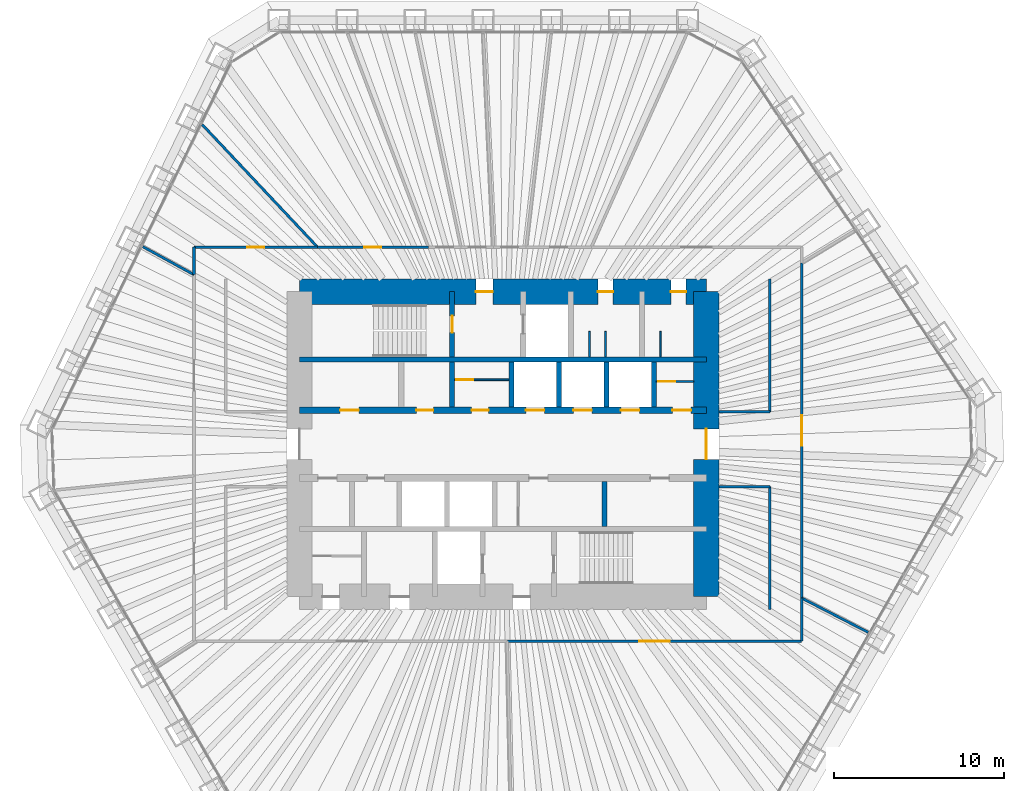
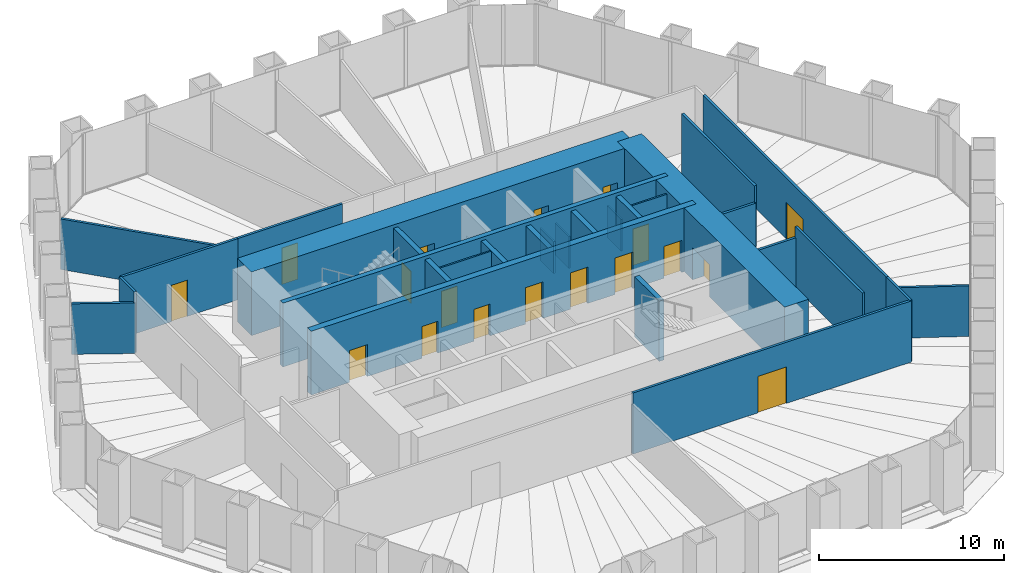
# One storey, part 11 of 13: 29 walls, 18 doors, 18 openings.
"""IFC4 building model written with IfcOpenShell, lengths in metres."""

from ifc_helpers import new_model, si_unit, direction, frame, frame_2d, origin, place, context, subcontext, project, spatial, rectangle, extrude, material, layer, layer_set, type_object, element, fill, save


model = new_model("IFC4")

# Units and contexts
model_context = context("Model", 3, precision=1e-05, world=origin(), true_north=direction((0.0, 1.0)))
body_context = subcontext(model_context, "Body", "Model", "MODEL_VIEW")
ifc_project = project(units=[si_unit("LENGTHUNIT", "METRE"), si_unit("AREAUNIT", "SQUARE_METRE"), si_unit("VOLUMEUNIT", "CUBIC_METRE"), si_unit("PLANEANGLEUNIT", "RADIAN"), si_unit("MASSUNIT", "GRAM", prefix="KILO")], contexts=[model_context])

# Site, building, storey
site_placement = place(None, origin())
site = spatial("IfcSite", under=ifc_project, at=site_placement, CompositionType="ELEMENT")
building_placement = place(site_placement, origin())
building = spatial("IfcBuilding", under=site, at=building_placement, Name="Qingtian Harvest Tower", CompositionType="ELEMENT")
storey_placement = place(building_placement, frame((0.0, 0.0, 140.800048828125)))
storey = spatial("IfcBuildingStorey", under=building, at=storey_placement, Name="L29", CompositionType="ELEMENT", Elevation=140.800048828125)

# Wall
ifc_material_1 = material(Name="Concrete fc' 70 MPa", Category="concrete")
ifc_layer_1 = layer(ifc_material_1, 0.300048828125)
ifc_layer_set_1 = layer_set([ifc_layer_1], Name="Core inner wall RC5 300")
wall_type_1 = type_object("IfcWallType", Name="Core inner wall RC5 300", PredefinedType="SHEAR", material=ifc_layer_set_1)
wall_1_placement = place(storey_placement, frame((-12.0, 5.0, 0.0), z_axis=(0.0, 0.0, 1.0), x_axis=(1.0, 0.0, 0.0)))
element("IfcWall", 1, at=wall_1_placement, inside=storey, type_object=wall_type_1, Name="Core wall IN5 L29", PredefinedType="SHEAR", context=body_context, shape_type="SweptSolid", body=[
    extrude(rectangle(XDim=24.0, YDim=0.300048828125, at=frame_2d((12.0, 0.0))), origin(), (0.0, 0.0, 1.0), 4.199951171875),
])

# Wall, openings, doors
ifc_material_2 = material(Name="Concrete fc' 70 MPa", Category="concrete")
ifc_layer_2 = layer(ifc_material_2, 0.39990234375)
ifc_layer_set_2 = layer_set([ifc_layer_2], Name="Core inner web RC6 400")
wall_type_2 = type_object("IfcWallType", Name="Core inner web RC6 400", PredefinedType="SHEAR", material=ifc_layer_set_2)
wall_2_placement = place(storey_placement, frame((-12.0, 2.0, 0.0), z_axis=(0.0, 0.0, 1.0), x_axis=(1.0, 0.0, 0.0)))
wall_2 = element("IfcWall", 2, at=wall_2_placement, inside=storey, type_object=wall_type_2, Name="Core wall IN2 L29", PredefinedType="SHEAR", context=body_context, shape_type="SweptSolid", body=[
    extrude(rectangle(XDim=24.0, YDim=0.39990234375, at=frame_2d((12.0, 0.0))), origin(), (0.0, 0.0, 1.0), 4.199951171875),
])
opening_1_placement = place(wall_2_placement, frame((2.39990234375, 0.0, 0.0)))
opening_1 = element("IfcOpeningElement", 3, at=opening_1_placement, cuts=wall_2, Name="Opening FD4", PredefinedType="OPENING", context=body_context, shape_type="SweptSolid", body=[
    extrude(rectangle(XDim=1.10009765625, YDim=2.10009765625, at=frame_2d((0.550048828125, 1.050048828125))), frame((0.0, 0.2099609375, 0.0), z_axis=(0.0, -1.0, 0.0), x_axis=(1.0, 0.0, 0.0)), (0.0, 0.0, 1.0), 0.419921875),
])
opening_2_placement = place(wall_2_placement, frame((22.0, 0.0, 0.0)))
opening_2 = element("IfcOpeningElement", 4, at=opening_2_placement, cuts=wall_2, Name="Opening FD4", PredefinedType="OPENING", context=body_context, shape_type="SweptSolid", body=[
    extrude(rectangle(XDim=1.10009765625, YDim=2.10009765625, at=frame_2d((0.550048828125, 1.050048828125))), frame((0.0, 0.2099609375, 0.0), z_axis=(0.0, -1.0, 0.0), x_axis=(1.0, 0.0, 0.0)), (0.0, 0.0, 1.0), 0.419921875),
])
opening_3_placement = place(wall_2_placement, frame((10.14990234375, 0.0, 0.0)))
opening_3 = element("IfcOpeningElement", 5, at=opening_3_placement, cuts=wall_2, Name="Opening FD1", PredefinedType="OPENING", context=body_context, shape_type="SweptSolid", body=[
    extrude(rectangle(XDim=1.0, YDim=2.10009765625, at=frame_2d((0.5, 1.050048828125))), frame((0.0, 0.2099609375, 0.0), z_axis=(0.0, -1.0, 0.0), x_axis=(1.0, 0.0, 0.0)), (0.0, 0.0, 1.0), 0.419921875),
])
opening_4_placement = place(wall_2_placement, frame((6.89990234375, 0.0, 0.0)))
opening_4 = element("IfcOpeningElement", 6, at=opening_4_placement, cuts=wall_2, Name="Opening FD1", PredefinedType="OPENING", context=body_context, shape_type="SweptSolid", body=[
    extrude(rectangle(XDim=1.0, YDim=2.10009765625, at=frame_2d((0.5, 1.050048828125))), frame((0.0, 0.2099609375, 0.0), z_axis=(0.0, -1.0, 0.0), x_axis=(1.0, 0.0, 0.0)), (0.0, 0.0, 1.0), 0.419921875),
])
opening_5_placement = place(wall_2_placement, frame((13.35009765625, 0.0, 0.0)))
opening_5 = element("IfcOpeningElement", 7, at=opening_5_placement, cuts=wall_2, Name="Opening LD1", PredefinedType="OPENING", context=body_context, shape_type="SweptSolid", body=[
    extrude(rectangle(XDim=1.10009765625, YDim=2.39990234375, at=frame_2d((0.550048828125, 1.199951171875))), frame((0.0, 0.2099609375, 0.0), z_axis=(0.0, -1.0, 0.0), x_axis=(1.0, 0.0, 0.0)), (0.0, 0.0, 1.0), 0.419921875),
])
opening_6_placement = place(wall_2_placement, frame((16.14990234375, 0.0, 0.0)))
opening_6 = element("IfcOpeningElement", 8, at=opening_6_placement, cuts=wall_2, Name="Opening LD1", PredefinedType="OPENING", context=body_context, shape_type="SweptSolid", body=[
    extrude(rectangle(XDim=1.10009765625, YDim=2.39990234375, at=frame_2d((0.550048828125, 1.199951171875))), frame((0.0, 0.2099609375, 0.0), z_axis=(0.0, -1.0, 0.0), x_axis=(1.0, 0.0, 0.0)), (0.0, 0.0, 1.0), 0.419921875),
])
opening_7_placement = place(wall_2_placement, frame((18.949951171875, 0.0, 0.0)))
opening_7 = element("IfcOpeningElement", 9, at=opening_7_placement, cuts=wall_2, Name="Opening LD1", PredefinedType="OPENING", context=body_context, shape_type="SweptSolid", body=[
    extrude(rectangle(XDim=1.10009765625, YDim=2.39990234375, at=frame_2d((0.550048828125, 1.199951171875))), frame((0.0, 0.2099609375, 0.0), z_axis=(0.0, -1.0, 0.0), x_axis=(1.0, 0.0, 0.0)), (0.0, 0.0, 1.0), 0.419921875),
])
ifc_material_3 = material(Name="Steel-faced door leaf", Category="steel")
door_type_1 = type_object("IfcDoorType", Name="Fire door FD1 single 1 HR", OperationType="SINGLE_SWING_LEFT", PredefinedType="DOOR", material=ifc_material_3)
door_1_placement = place(opening_3_placement, origin())
door_1 = element("IfcDoor", 10, at=door_1_placement, inside=storey, type_object=door_type_1, Name="STA door L29", OperationType="SINGLE_SWING_LEFT", OverallHeight=2.10009765625, OverallWidth=1.0, PredefinedType="DOOR", context=body_context, shape_type="SweptSolid", body=[
    extrude(rectangle(XDim=1.0, YDim=2.10009765625, at=frame_2d((0.5, 1.050048828125))), frame((0.0, 0.02490234375, 0.0), z_axis=(0.0, -1.0, 0.0), x_axis=(1.0, 0.0, 0.0)), (0.0, 0.0, 1.0), 0.050048828125),
])
fill(opening_3, door_1)
door_2_placement = place(opening_4_placement, origin())
door_2 = element("IfcDoor", 11, at=door_2_placement, inside=storey, type_object=door_type_1, Name="Staff WC door L29", OperationType="SINGLE_SWING_LEFT", OverallHeight=2.10009765625, OverallWidth=1.0, PredefinedType="DOOR", context=body_context, shape_type="SweptSolid", body=[
    extrude(rectangle(XDim=1.0, YDim=2.10009765625, at=frame_2d((0.5, 1.050048828125))), frame((0.0, 0.02490234375, 0.0), z_axis=(0.0, -1.0, 0.0), x_axis=(1.0, 0.0, 0.0)), (0.0, 0.0, 1.0), 0.050048828125),
])
fill(opening_4, door_2)
ifc_material_4 = material(Name="Steel-faced door leaf", Category="steel")
door_type_2 = type_object("IfcDoorType", Name="Fire door FD4 single 2 HR", OperationType="SINGLE_SWING_LEFT", PredefinedType="DOOR", material=ifc_material_4)
door_3_placement = place(opening_1_placement, origin())
door_3 = element("IfcDoor", 12, at=door_3_placement, inside=storey, type_object=door_type_2, Name="RA door L29", OperationType="SINGLE_SWING_RIGHT", OverallHeight=2.10009765625, OverallWidth=1.10009765625, PredefinedType="DOOR", context=body_context, shape_type="SweptSolid", body=[
    extrude(rectangle(XDim=1.10009765625, YDim=2.10009765625, at=frame_2d((0.550048828125, 1.050048828125))), frame((0.0, 0.02490234375, 0.0), z_axis=(0.0, -1.0, 0.0), x_axis=(1.0, 0.0, 0.0)), (0.0, 0.0, 1.0), 0.050048828125),
])
fill(opening_1, door_3)
door_4_placement = place(opening_2_placement, origin())
door_4 = element("IfcDoor", 13, at=door_4_placement, inside=storey, type_object=door_type_2, Name="AHU door L29", OperationType="SINGLE_SWING_RIGHT", OverallHeight=2.10009765625, OverallWidth=1.10009765625, PredefinedType="DOOR", context=body_context, shape_type="SweptSolid", body=[
    extrude(rectangle(XDim=1.10009765625, YDim=2.10009765625, at=frame_2d((0.550048828125, 1.050048828125))), frame((0.0, 0.02490234375, 0.0), z_axis=(0.0, -1.0, 0.0), x_axis=(1.0, 0.0, 0.0)), (0.0, 0.0, 1.0), 0.050048828125),
])
fill(opening_2, door_4)
ifc_material_5 = material(Name="Stainless steel lift landing door", Category="steel")
door_type_3 = type_object("IfcDoorType", Name="Lift landing door LD1 1 HR", OperationType="DOUBLE_DOOR_SLIDING", PredefinedType="DOOR", material=ifc_material_5)
door_5_placement = place(opening_5_placement, origin())
door_5 = element("IfcDoor", 14, at=door_5_placement, inside=storey, type_object=door_type_3, Name="PLB1 landing door L29", OperationType="DOUBLE_DOOR_SLIDING", OverallHeight=2.39990234375, OverallWidth=1.10009765625, PredefinedType="DOOR", context=body_context, shape_type="SweptSolid", body=[
    extrude(rectangle(XDim=1.10009765625, YDim=2.39990234375, at=frame_2d((0.550048828125, 1.199951171875))), frame((0.0, 0.02490234375, 0.0), z_axis=(0.0, -1.0, 0.0), x_axis=(1.0, 0.0, 0.0)), (0.0, 0.0, 1.0), 0.050048828125),
])
fill(opening_5, door_5)
door_6_placement = place(opening_6_placement, origin())
door_6 = element("IfcDoor", 15, at=door_6_placement, inside=storey, type_object=door_type_3, Name="PLB2 landing door L29", OperationType="DOUBLE_DOOR_SLIDING", OverallHeight=2.39990234375, OverallWidth=1.10009765625, PredefinedType="DOOR", context=body_context, shape_type="SweptSolid", body=[
    extrude(rectangle(XDim=1.10009765625, YDim=2.39990234375, at=frame_2d((0.550048828125, 1.199951171875))), frame((0.0, 0.02490234375, 0.0), z_axis=(0.0, -1.0, 0.0), x_axis=(1.0, 0.0, 0.0)), (0.0, 0.0, 1.0), 0.050048828125),
])
fill(opening_6, door_6)
door_7_placement = place(opening_7_placement, origin())
door_7 = element("IfcDoor", 16, at=door_7_placement, inside=storey, type_object=door_type_3, Name="PLB3 landing door L29", OperationType="DOUBLE_DOOR_SLIDING", OverallHeight=2.39990234375, OverallWidth=1.10009765625, PredefinedType="DOOR", context=body_context, shape_type="SweptSolid", body=[
    extrude(rectangle(XDim=1.10009765625, YDim=2.39990234375, at=frame_2d((0.550048828125, 1.199951171875))), frame((0.0, 0.02490234375, 0.0), z_axis=(0.0, -1.0, 0.0), x_axis=(1.0, 0.0, 0.0)), (0.0, 0.0, 1.0), 0.050048828125),
])
fill(opening_7, door_7)

# Wall, opening, door
ifc_material_6 = material(Name="Precast concrete shaft panel", Category="concrete")
ifc_layer_3 = layer(ifc_material_6, 0.300048828125)
ifc_layer_set_3 = layer_set([ifc_layer_3], Name="Core shaft partition SW1 300")
wall_type_3 = type_object("IfcWallType", Name="Core shaft partition SW1 300", PredefinedType="PARTITIONING", material=ifc_layer_set_3)
wall_3_placement = place(storey_placement, frame((-3.0, 5.14990234375, 0.0), z_axis=(0.0, 0.0, 1.0), x_axis=(0.0, 1.0, 0.0)))
wall_3 = element("IfcWall", 17, at=wall_3_placement, inside=storey, type_object=wall_type_3, Name="Core shaft partition XN1 L29", PredefinedType="PARTITIONING", context=body_context, shape_type="SweptSolid", body=[
    extrude(rectangle(XDim=3.85009765625, YDim=0.300048828125, at=frame_2d((1.925048828125, 0.0))), origin(), (0.0, 0.0, 1.0), 3.97998046875),
])
opening_8_placement = place(wall_3_placement, frame((1.425048828125, 0.0, 0.0)))
opening_8 = element("IfcOpeningElement", 18, at=opening_8_placement, cuts=wall_3, Name="Opening FD1", PredefinedType="OPENING", context=body_context, shape_type="SweptSolid", body=[
    extrude(rectangle(XDim=1.0, YDim=2.10009765625, at=frame_2d((0.5, 1.050048828125))), frame((0.0, 0.159912109375, 0.0), z_axis=(0.0, -1.0, 0.0), x_axis=(1.0, 0.0, 0.0)), (0.0, 0.0, 1.0), 0.320068359375),
])
door_8_placement = place(opening_8_placement, origin())
door_8 = element("IfcDoor", 19, at=door_8_placement, inside=storey, type_object=door_type_1, Name="S1 door L29", OperationType="SINGLE_SWING_RIGHT", OverallHeight=2.10009765625, OverallWidth=1.0, PredefinedType="DOOR", context=body_context, shape_type="SweptSolid", body=[
    extrude(rectangle(XDim=1.0, YDim=2.10009765625, at=frame_2d((0.5, 1.050048828125))), frame((0.0, 0.02490234375, 0.0), z_axis=(0.0, -1.0, 0.0), x_axis=(1.0, 0.0, 0.0)), (0.0, 0.0, 1.0), 0.050048828125),
])
fill(opening_8, door_8)

# Walls
for number, where, z_axis, x_axis, name in (
    (20, (-3.0, 2.199951171875, 0.0), (0.0, 0.0, 1.0), (0.0, 1.0, 0.0), "Core shaft partition XA2 L29"),
    (21, (0.5, 2.199951171875, 0.0), (0.0, 0.0, 1.0), (0.0, 1.0, 0.0), "Core shaft partition XA3 L29"),
    (22, (3.300048828125, 2.199951171875, 0.0), (0.0, 0.0, 1.0), (0.0, 1.0, 0.0), "Core shaft partition XA4 L29"),
    (23, (6.10009765625, 2.199951171875, 0.0), (0.0, 0.0, 1.0), (0.0, 1.0, 0.0), "Core shaft partition XA5 L29"),
    (24, (8.89990234375, 2.199951171875, 0.0), (0.0, 0.0, 1.0), (0.0, 1.0, 0.0), "Core shaft partition XA6 L29"),
    (25, (6.0, -4.85009765625, 0.0), (0.0, 0.0, 1.0), (0.0, 1.0, 0.0), "Core shaft partition XB5 L29"),
):
    element("IfcWall", number, at=place(storey_placement, frame(where, z_axis=z_axis, x_axis=x_axis)), inside=storey, type_object=wall_type_3, Name=name, PredefinedType="PARTITIONING", context=body_context, shape_type="SweptSolid", body=[
        extrude(rectangle(XDim=2.650146484375, YDim=0.300048828125, at=frame_2d((1.3251953125, 0.0))), origin(), (0.0, 0.0, 1.0), 3.97998046875),
    ])

# Wall, openings, doors
ifc_material_7 = material(Name="Concrete fc' 70 MPa", Category="concrete")
ifc_layer_4 = layer(ifc_material_7, 1.5)
ifc_layer_set_4 = layer_set([ifc_layer_4], Name="Core wall RC1 1500")
wall_type_4 = type_object("IfcWallType", Name="Core wall RC1 1500", PredefinedType="SHEAR", material=ifc_layer_set_4)
wall_4_placement = place(storey_placement, frame((-12.0, 9.0, 0.0), z_axis=(0.0, 0.0, 1.0), x_axis=(1.0, 0.0, 0.0)))
wall_4 = element("IfcWall", 26, at=wall_4_placement, inside=storey, type_object=wall_type_4, Name="Core wall CN L29", PredefinedType="SHEAR", context=body_context, shape_type="SweptSolid", body=[
    extrude(rectangle(XDim=24.0, YDim=1.5, at=frame_2d((12.0, 0.0))), origin(), (0.0, 0.0, 1.0), 4.199951171875),
])
opening_9_placement = place(wall_4_placement, frame((10.39990234375, 0.0, 0.0)))
opening_9 = element("IfcOpeningElement", 27, at=opening_9_placement, cuts=wall_4, Name="Opening FD1", PredefinedType="OPENING", context=body_context, shape_type="SweptSolid", body=[
    extrude(rectangle(XDim=1.0, YDim=2.10009765625, at=frame_2d((0.5, 1.050048828125))), frame((0.0, 0.760009765625, 0.0), z_axis=(0.0, -1.0, 0.0), x_axis=(1.0, 0.0, 0.0)), (0.0, 0.0, 1.0), 1.52001953125),
])
opening_10_placement = place(wall_4_placement, frame((17.60009765625, 0.0, 0.0)))
opening_10 = element("IfcOpeningElement", 28, at=opening_10_placement, cuts=wall_4, Name="Opening D1", PredefinedType="OPENING", context=body_context, shape_type="SweptSolid", body=[
    extrude(rectangle(XDim=0.89990234375, YDim=2.10009765625, at=frame_2d((0.449951171875, 1.050048828125))), frame((0.0, 0.760009765625, 0.0), z_axis=(0.0, -1.0, 0.0), x_axis=(1.0, 0.0, 0.0)), (0.0, 0.0, 1.0), 1.52001953125),
])
opening_11_placement = place(wall_4_placement, frame((21.89990234375, 0.0, 0.0)))
opening_11 = element("IfcOpeningElement", 29, at=opening_11_placement, cuts=wall_4, Name="Opening D1", PredefinedType="OPENING", context=body_context, shape_type="SweptSolid", body=[
    extrude(rectangle(XDim=0.89990234375, YDim=2.10009765625, at=frame_2d((0.449951171875, 1.050048828125))), frame((0.0, 0.760009765625, 0.0), z_axis=(0.0, -1.0, 0.0), x_axis=(1.0, 0.0, 0.0)), (0.0, 0.0, 1.0), 1.52001953125),
])
door_9_placement = place(opening_9_placement, origin())
door_9 = element("IfcDoor", 30, at=door_9_placement, inside=storey, type_object=door_type_1, Name="V1 door L29", OperationType="SINGLE_SWING_RIGHT", OverallHeight=2.10009765625, OverallWidth=1.0, PredefinedType="DOOR", context=body_context, shape_type="SweptSolid", body=[
    extrude(rectangle(XDim=1.0, YDim=2.10009765625, at=frame_2d((0.5, 1.050048828125))), frame((0.0, 0.02490234375, 0.0), z_axis=(0.0, -1.0, 0.0), x_axis=(1.0, 0.0, 0.0)), (0.0, 0.0, 1.0), 0.050048828125),
])
fill(opening_9, door_9)
ifc_material_8 = material(Name="Laminated timber door leaf", Category="wood")
door_type_4 = type_object("IfcDoorType", Name="Toilet door D1 single", OperationType="SINGLE_SWING_LEFT", PredefinedType="DOOR", material=ifc_material_8)
door_10_placement = place(opening_10_placement, origin())
door_10 = element("IfcDoor", 31, at=door_10_placement, inside=storey, type_object=door_type_4, Name="WCM door L29", OperationType="SINGLE_SWING_LEFT", OverallHeight=2.10009765625, OverallWidth=0.89990234375, PredefinedType="DOOR", context=body_context, shape_type="SweptSolid", body=[
    extrude(rectangle(XDim=0.89990234375, YDim=2.10009765625, at=frame_2d((0.449951171875, 1.050048828125))), frame((0.0, 0.02490234375, 0.0), z_axis=(0.0, -1.0, 0.0), x_axis=(1.0, 0.0, 0.0)), (0.0, 0.0, 1.0), 0.050048828125),
])
fill(opening_10, door_10)
door_11_placement = place(opening_11_placement, origin())
door_11 = element("IfcDoor", 32, at=door_11_placement, inside=storey, type_object=door_type_4, Name="WCF door L29", OperationType="SINGLE_SWING_LEFT", OverallHeight=2.10009765625, OverallWidth=0.89990234375, PredefinedType="DOOR", context=body_context, shape_type="SweptSolid", body=[
    extrude(rectangle(XDim=0.89990234375, YDim=2.10009765625, at=frame_2d((0.449951171875, 1.050048828125))), frame((0.0, 0.02490234375, 0.0), z_axis=(0.0, -1.0, 0.0), x_axis=(1.0, 0.0, 0.0)), (0.0, 0.0, 1.0), 0.050048828125),
])
fill(opening_11, door_11)

# Wall, opening, door
wall_5_placement = place(storey_placement, frame((12.0, -9.0, 0.0), z_axis=(0.0, 0.0, 1.0), x_axis=(0.0, 1.0, 0.0)))
wall_5 = element("IfcWall", 33, at=wall_5_placement, inside=storey, type_object=wall_type_4, Name="Core wall CE L29", PredefinedType="SHEAR", context=body_context, shape_type="SweptSolid", body=[
    extrude(rectangle(XDim=18.0, YDim=1.5, at=frame_2d((9.0, 0.0))), origin(), (0.0, 0.0, 1.0), 4.199951171875),
])
opening_12_placement = place(wall_5_placement, frame((8.10009765625, 0.0, 0.0)))
opening_12 = element("IfcOpeningElement", 34, at=opening_12_placement, cuts=wall_5, Name="Opening FD2", PredefinedType="OPENING", context=body_context, shape_type="SweptSolid", body=[
    extrude(rectangle(XDim=1.800048828125, YDim=2.10009765625, at=frame_2d((0.89990234375, 1.050048828125))), frame((0.0, 0.760009765625, 0.0), z_axis=(0.0, -1.0, 0.0), x_axis=(1.0, 0.0, 0.0)), (0.0, 0.0, 1.0), 1.52001953125),
])
ifc_material_9 = material(Name="Steel-faced door leaf", Category="steel")
door_type_5 = type_object("IfcDoorType", Name="Fire door FD2 double 1 HR", OperationType="DOUBLE_DOOR_DOUBLE_SWING", PredefinedType="DOOR", material=ifc_material_9)
door_12_placement = place(opening_12_placement, origin())
door_12 = element("IfcDoor", 35, at=door_12_placement, inside=storey, type_object=door_type_5, Name="LOBBY-E door L29", OperationType="DOUBLE_DOOR_DOUBLE_SWING", OverallHeight=2.10009765625, OverallWidth=1.800048828125, PredefinedType="DOOR", context=body_context, shape_type="SweptSolid", body=[
    extrude(rectangle(XDim=1.800048828125, YDim=2.10009765625, at=frame_2d((0.89990234375, 1.050048828125))), frame((0.0, 0.02490234375, 0.0), z_axis=(0.0, -1.0, 0.0), x_axis=(1.0, 0.0, 0.0)), (0.0, 0.0, 1.0), 0.050048828125),
])
fill(opening_12, door_12)

ifc_material_10 = material(Name="Gypsum board on steel studs", Category="steel")
ifc_layer_5 = layer(ifc_material_10, 0.14990234375)
ifc_layer_set_5 = layer_set([ifc_layer_5], Name="Partition PT1 150")
wall_type_5 = type_object("IfcWallType", Name="Partition PT1 150", PredefinedType="PARTITIONING", material=ifc_layer_set_5)
wall_6_placement = place(storey_placement, frame((17.625, 10.69775390625, 0.0), z_axis=(0.0, 0.0, 1.0), x_axis=(0.0, -1.0, 0.0)))
wall_6 = element("IfcWall", 36, at=wall_6_placement, inside=storey, type_object=wall_type_5, Name="Office suite wall L29", PredefinedType="PARTITIONING", context=body_context, shape_type="SweptSolid", body=[
    extrude(rectangle(XDim=19.77783203125, YDim=0.14990234375, at=frame_2d((9.888916015625, 0.0))), origin(), (0.0, 0.0, 1.0), 4.030029296875),
])
opening_13_placement = place(wall_6_placement, frame((8.98876953125, 0.0, 0.0)))
opening_13 = element("IfcOpeningElement", 37, at=opening_13_placement, cuts=wall_6, Name="Opening D3", PredefinedType="OPENING", context=body_context, shape_type="SweptSolid", body=[
    extrude(rectangle(XDim=1.800048828125, YDim=2.39990234375, at=frame_2d((0.89990234375, 1.199951171875))), frame((0.0, 0.0849609375, 0.0), z_axis=(0.0, -1.0, 0.0), x_axis=(1.0, 0.0, 0.0)), (0.0, 0.0, 1.0), 0.169921875),
])
ifc_material_11 = material(Name="Laminated timber door leaf", Category="wood")
door_type_6 = type_object("IfcDoorType", Name="Room door D3 double", OperationType="DOUBLE_DOOR_DOUBLE_SWING", PredefinedType="DOOR", material=ifc_material_11)
door_13_placement = place(opening_13_placement, origin())
door_13 = element("IfcDoor", 38, at=door_13_placement, inside=storey, type_object=door_type_6, Name="Office suite door L29", OperationType="DOUBLE_DOOR_DOUBLE_SWING", OverallHeight=2.39990234375, OverallWidth=1.800048828125, PredefinedType="DOOR", context=body_context, shape_type="SweptSolid", body=[
    extrude(rectangle(XDim=1.800048828125, YDim=2.39990234375, at=frame_2d((0.89990234375, 1.199951171875))), frame((0.0, 0.02490234375, 0.0), z_axis=(0.0, -1.0, 0.0), x_axis=(1.0, 0.0, 0.0)), (0.0, 0.0, 1.0), 0.050048828125),
])
fill(opening_13, door_13)

# Walls
wall_7_placement = place(storey_placement, frame((21.537841796875, -11.095703125, 0.0), z_axis=(0.0, 0.0, 1.0), x_axis=(-0.888982083501, 0.457941977999, 0.0)))
element("IfcWall", 39, at=wall_7_placement, inside=storey, type_object=wall_type_5, Name="Office suite wall L29", PredefinedType="PARTITIONING", context=body_context, shape_type="SweptSolid", body=[
    extrude(rectangle(XDim=4.4013671875, YDim=0.14990234375, at=frame_2d((2.20068359375, 0.0))), origin(), (0.0, 0.0, 1.0), 3.329833984375),
])
wall_8_placement = place(storey_placement, frame((17.625, -9.080078125, 0.0), z_axis=(0.0, 0.0, 1.0), x_axis=(0.0, -1.0, 0.0)))
element("IfcWall", 40, at=wall_8_placement, inside=storey, type_object=wall_type_5, Name="Office suite wall L29", PredefinedType="PARTITIONING", context=body_context, shape_type="SweptSolid", body=[
    extrude(rectangle(XDim=2.544921875, YDim=0.14990234375, at=frame_2d((1.2724609375, 0.0))), origin(), (0.0, 0.0, 1.0), 4.030029296875),
])

# Wall, opening, door
wall_9_placement = place(storey_placement, frame((17.625, -11.625, 0.0), z_axis=(0.0, 0.0, 1.0), x_axis=(-1.0, 0.0, 0.0)))
wall_9 = element("IfcWall", 41, at=wall_9_placement, inside=storey, type_object=wall_type_5, Name="Office suite wall L29", PredefinedType="PARTITIONING", context=body_context, shape_type="SweptSolid", body=[
    extrude(rectangle(XDim=17.3701171875, YDim=0.14990234375, at=frame_2d((8.68505859375, 0.0))), origin(), (0.0, 0.0, 1.0), 4.030029296875),
])
opening_14_placement = place(wall_9_placement, frame((7.784912109375, 0.0, 0.0)))
opening_14 = element("IfcOpeningElement", 42, at=opening_14_placement, cuts=wall_9, Name="Opening D3", PredefinedType="OPENING", context=body_context, shape_type="SweptSolid", body=[
    extrude(rectangle(XDim=1.800048828125, YDim=2.39990234375, at=frame_2d((0.89990234375, 1.199951171875))), frame((0.0, 0.0849609375, 0.0), z_axis=(0.0, -1.0, 0.0), x_axis=(1.0, 0.0, 0.0)), (0.0, 0.0, 1.0), 0.169921875),
])
door_14_placement = place(opening_14_placement, origin())
door_14 = element("IfcDoor", 43, at=door_14_placement, inside=storey, type_object=door_type_6, Name="Office suite door L29", OperationType="DOUBLE_DOOR_DOUBLE_SWING", OverallHeight=2.39990234375, OverallWidth=1.800048828125, PredefinedType="DOOR", context=body_context, shape_type="SweptSolid", body=[
    extrude(rectangle(XDim=1.800048828125, YDim=2.39990234375, at=frame_2d((0.89990234375, 1.199951171875))), frame((0.0, 0.02490234375, 0.0), z_axis=(0.0, -1.0, 0.0), x_axis=(1.0, 0.0, 0.0)), (0.0, 0.0, 1.0), 0.050048828125),
])
fill(opening_14, door_14)

# Walls
wall_10_placement = place(storey_placement, frame((-21.242431640625, 11.65087890625, 0.0), z_axis=(0.0, 0.0, 1.0), x_axis=(0.876768023831, -0.480913539409, 0.0)))
element("IfcWall", 44, at=wall_10_placement, inside=storey, type_object=wall_type_5, Name="Pantry wall L29", PredefinedType="PARTITIONING", context=body_context, shape_type="SweptSolid", body=[
    extrude(rectangle(XDim=3.44140625, YDim=0.14990234375, at=frame_2d((1.720703125, 0.0))), origin(), (0.0, 0.0, 1.0), 3.329833984375),
])
wall_11_placement = place(storey_placement, frame((-18.22509765625, 9.995849609375, 0.0), z_axis=(0.0, 0.0, 1.0), x_axis=(0.0, 1.0, 0.0)))
element("IfcWall", 45, at=wall_11_placement, inside=storey, type_object=wall_type_5, Name="Pantry wall L29", PredefinedType="PARTITIONING", context=body_context, shape_type="SweptSolid", body=[
    extrude(rectangle(XDim=1.629150390625, YDim=0.14990234375, at=frame_2d((0.814453125, 0.0))), origin(), (0.0, 0.0, 1.0), 4.030029296875),
])

# Wall, opening, door
wall_12_placement = place(storey_placement, frame((-18.22509765625, 11.625, 0.0), z_axis=(0.0, 0.0, 1.0), x_axis=(1.0, 0.0, 0.0)))
wall_12 = element("IfcWall", 46, at=wall_12_placement, inside=storey, type_object=wall_type_5, Name="Pantry wall L29", PredefinedType="PARTITIONING", context=body_context, shape_type="SweptSolid", body=[
    extrude(rectangle(XDim=7.286376953125, YDim=0.14990234375, at=frame_2d((3.64306640625, 0.0))), origin(), (0.0, 0.0, 1.0), 4.030029296875),
])
opening_15_placement = place(wall_12_placement, frame((3.14306640625, 0.0, 0.0)))
opening_15 = element("IfcOpeningElement", 47, at=opening_15_placement, cuts=wall_12, Name="Opening D2", PredefinedType="OPENING", context=body_context, shape_type="SweptSolid", body=[
    extrude(rectangle(XDim=1.0, YDim=2.39990234375, at=frame_2d((0.5, 1.199951171875))), frame((0.0, 0.0849609375, 0.0), z_axis=(0.0, -1.0, 0.0), x_axis=(1.0, 0.0, 0.0)), (0.0, 0.0, 1.0), 0.169921875),
])
ifc_material_12 = material(Name="Laminated timber door leaf", Category="wood")
door_type_7 = type_object("IfcDoorType", Name="Room door D2 single", OperationType="SINGLE_SWING_LEFT", PredefinedType="DOOR", material=ifc_material_12)
door_15_placement = place(opening_15_placement, origin())
door_15 = element("IfcDoor", 48, at=door_15_placement, inside=storey, type_object=door_type_7, Name="Pantry door L29", OperationType="SINGLE_SWING_RIGHT", OverallHeight=2.39990234375, OverallWidth=1.0, PredefinedType="DOOR", context=body_context, shape_type="SweptSolid", body=[
    extrude(rectangle(XDim=1.0, YDim=2.39990234375, at=frame_2d((0.5, 1.199951171875))), frame((0.0, 0.02490234375, 0.0), z_axis=(0.0, -1.0, 0.0), x_axis=(1.0, 0.0, 0.0)), (0.0, 0.0, 1.0), 0.050048828125),
])
fill(opening_15, door_15)

# Wall
wall_13_placement = place(storey_placement, frame((-17.738037109375, 18.850830078125, 0.0), z_axis=(0.0, 0.0, 1.0), x_axis=(0.685286406267, -0.728273672039, 0.0)))
element("IfcWall", 49, at=wall_13_placement, inside=storey, type_object=wall_type_5, Name="Meeting room wall L29", PredefinedType="PARTITIONING", context=body_context, shape_type="SweptSolid", body=[
    extrude(rectangle(XDim=9.921875, YDim=0.14990234375, at=frame_2d((4.9609375, 0.0))), origin(), (0.0, 0.0, 1.0), 3.329833984375),
])

# Wall, opening, door
wall_14_placement = place(storey_placement, frame((-10.938720703125, 11.625, 0.0), z_axis=(0.0, 0.0, 1.0), x_axis=(1.0, 0.0, 0.0)))
wall_14 = element("IfcWall", 50, at=wall_14_placement, inside=storey, type_object=wall_type_5, Name="Meeting room wall L29", PredefinedType="PARTITIONING", context=body_context, shape_type="SweptSolid", body=[
    extrude(rectangle(XDim=6.5361328125, YDim=0.14990234375, at=frame_2d((3.26806640625, 0.0))), origin(), (0.0, 0.0, 1.0), 4.030029296875),
])
opening_16_placement = place(wall_14_placement, frame((2.76806640625, 0.0, 0.0)))
opening_16 = element("IfcOpeningElement", 51, at=opening_16_placement, cuts=wall_14, Name="Opening D2", PredefinedType="OPENING", context=body_context, shape_type="SweptSolid", body=[
    extrude(rectangle(XDim=1.0, YDim=2.39990234375, at=frame_2d((0.5, 1.199951171875))), frame((0.0, 0.0849609375, 0.0), z_axis=(0.0, -1.0, 0.0), x_axis=(1.0, 0.0, 0.0)), (0.0, 0.0, 1.0), 0.169921875),
])
door_16_placement = place(opening_16_placement, origin())
door_16 = element("IfcDoor", 52, at=door_16_placement, inside=storey, type_object=door_type_7, Name="Meeting room door L29", OperationType="SINGLE_SWING_RIGHT", OverallHeight=2.39990234375, OverallWidth=1.0, PredefinedType="DOOR", context=body_context, shape_type="SweptSolid", body=[
    extrude(rectangle(XDim=1.0, YDim=2.39990234375, at=frame_2d((0.5, 1.199951171875))), frame((0.0, 0.02490234375, 0.0), z_axis=(0.0, -1.0, 0.0), x_axis=(1.0, 0.0, 0.0)), (0.0, 0.0, 1.0), 0.050048828125),
])
fill(opening_16, door_16)

# Walls
wall_15_placement = place(storey_placement, frame((15.75, 1.89990234375, 0.0), z_axis=(0.0, 0.0, 1.0), x_axis=(0.0, 1.0, 0.0)))
element("IfcWall", 53, at=wall_15_placement, inside=storey, type_object=wall_type_5, Name="Breakout space wall L29", PredefinedType="PARTITIONING", context=body_context, shape_type="SweptSolid", body=[
    extrude(rectangle(XDim=7.85009765625, YDim=0.14990234375, at=frame_2d((3.925048828125, 0.0))), origin(), (0.0, 0.0, 1.0), 4.030029296875),
])
wall_16_placement = place(storey_placement, frame((12.75, 1.89990234375, 0.0), z_axis=(0.0, 0.0, 1.0), x_axis=(1.0, 0.0, 0.0)))
element("IfcWall", 54, at=wall_16_placement, inside=storey, type_object=wall_type_5, Name="Breakout space wall L29", PredefinedType="PARTITIONING", context=body_context, shape_type="SweptSolid", body=[
    extrude(rectangle(XDim=3.0, YDim=0.14990234375, at=frame_2d((1.5, 0.0))), origin(), (0.0, 0.0, 1.0), 2.929931640625),
])
wall_17_placement = place(storey_placement, frame((15.75, -9.75, 0.0), z_axis=(0.0, 0.0, 1.0), x_axis=(0.0, 1.0, 0.0)))
element("IfcWall", 55, at=wall_17_placement, inside=storey, type_object=wall_type_5, Name="Print area wall L29", PredefinedType="PARTITIONING", context=body_context, shape_type="SweptSolid", body=[
    extrude(rectangle(XDim=7.25, YDim=0.14990234375, at=frame_2d((3.625, 0.0))), origin(), (0.0, 0.0, 1.0), 4.030029296875),
])
wall_18_placement = place(storey_placement, frame((12.75, -2.5, 0.0), z_axis=(0.0, 0.0, 1.0), x_axis=(1.0, 0.0, 0.0)))
element("IfcWall", 56, at=wall_18_placement, inside=storey, type_object=wall_type_5, Name="Print area wall L29", PredefinedType="PARTITIONING", context=body_context, shape_type="SweptSolid", body=[
    extrude(rectangle(XDim=3.0, YDim=0.14990234375, at=frame_2d((1.5, 0.0))), origin(), (0.0, 0.0, 1.0), 3.329833984375),
])

# Wall, opening, door
ifc_material_13 = material(Name="Concrete block partition", Category="concrete")
ifc_layer_6 = layer(ifc_material_13, 0.10009765625)
ifc_layer_set_6 = layer_set([ifc_layer_6], Name="Store partition PT3 100")
wall_type_6 = type_object("IfcWallType", Name="Store partition PT3 100", PredefinedType="PARTITIONING", material=ifc_layer_set_6)
wall_19_placement = place(storey_placement, frame((-2.85009765625, 3.800048828125, 0.0), z_axis=(0.0, 0.0, 1.0), x_axis=(1.0, 0.0, 0.0)))
wall_19 = element("IfcWall", 57, at=wall_19_placement, inside=storey, type_object=wall_type_6, Name="Stationery store wall L29", PredefinedType="PARTITIONING", context=body_context, shape_type="SweptSolid", body=[
    extrude(rectangle(XDim=3.2001953125, YDim=0.10009765625, at=frame_2d((1.60009765625, 0.0))), origin(), (0.0, 0.0, 1.0), 3.97998046875),
])
opening_17_placement = place(wall_19_placement, frame((0.10009765625, 0.0, 0.0)))
opening_17 = element("IfcOpeningElement", 58, at=opening_17_placement, cuts=wall_19, Name="Opening D2", PredefinedType="OPENING", context=body_context, shape_type="SweptSolid", body=[
    extrude(rectangle(XDim=1.0, YDim=2.39990234375, at=frame_2d((0.5, 1.199951171875))), frame((0.0, 0.06005859375, 0.0), z_axis=(0.0, -1.0, 0.0), x_axis=(1.0, 0.0, 0.0)), (0.0, 0.0, 1.0), 0.1201171875),
])
door_17_placement = place(opening_17_placement, origin())
door_17 = element("IfcDoor", 59, at=door_17_placement, inside=storey, type_object=door_type_7, Name="Stationery store door L29", OperationType="SINGLE_SWING_LEFT", OverallHeight=2.39990234375, OverallWidth=1.0, PredefinedType="DOOR", context=body_context, shape_type="SweptSolid", body=[
    extrude(rectangle(XDim=1.0, YDim=2.39990234375, at=frame_2d((0.5, 1.199951171875))), frame((0.0, 0.02490234375, 0.0), z_axis=(0.0, -1.0, 0.0), x_axis=(1.0, 0.0, 0.0)), (0.0, 0.0, 1.0), 0.050048828125),
])
fill(opening_17, door_17)

wall_20_placement = place(storey_placement, frame((9.050048828125, 3.699951171875, 0.0), z_axis=(0.0, 0.0, 1.0), x_axis=(1.0, 0.0, 0.0)))
wall_20 = element("IfcWall", 60, at=wall_20_placement, inside=storey, type_object=wall_type_6, Name="Filter plant room wall L29", PredefinedType="PARTITIONING", context=body_context, shape_type="SweptSolid", body=[
    extrude(rectangle(XDim=2.199951171875, YDim=0.10009765625, at=frame_2d((1.10009765625, 0.0))), origin(), (0.0, 0.0, 1.0), 3.97998046875),
])
opening_18_placement = place(wall_20_placement, frame((0.10009765625, 0.0, 0.0)))
opening_18 = element("IfcOpeningElement", 61, at=opening_18_placement, cuts=wall_20, Name="Opening D2", PredefinedType="OPENING", context=body_context, shape_type="SweptSolid", body=[
    extrude(rectangle(XDim=1.0, YDim=2.39990234375, at=frame_2d((0.5, 1.199951171875))), frame((0.0, 0.06005859375, 0.0), z_axis=(0.0, -1.0, 0.0), x_axis=(1.0, 0.0, 0.0)), (0.0, 0.0, 1.0), 0.1201171875),
])
door_18_placement = place(opening_18_placement, origin())
door_18 = element("IfcDoor", 62, at=door_18_placement, inside=storey, type_object=door_type_7, Name="Filter plant room door L29", OperationType="SINGLE_SWING_RIGHT", OverallHeight=2.39990234375, OverallWidth=1.0, PredefinedType="DOOR", context=body_context, shape_type="SweptSolid", body=[
    extrude(rectangle(XDim=1.0, YDim=2.39990234375, at=frame_2d((0.5, 1.199951171875))), frame((0.0, 0.02490234375, 0.0), z_axis=(0.0, -1.0, 0.0), x_axis=(1.0, 0.0, 0.0)), (0.0, 0.0, 1.0), 0.050048828125),
])
fill(opening_18, door_18)

# Walls
ifc_material_14 = material(Name="Compact laminate cubicle partition", Category="plastic")
ifc_layer_7 = layer(ifc_material_14, 0.10009765625)
ifc_layer_set_7 = layer_set([ifc_layer_7], Name="WC cubicle partition WP1 100")
wall_type_7 = type_object("IfcWallType", Name="WC cubicle partition WP1 100", PredefinedType="PARTITIONING", material=ifc_layer_set_7)
for number, where, z_axis, x_axis, name in (
    (63, (5.10009765625, 5.14990234375, 0.0), (0.0, 0.0, 1.0), (0.0, 1.0, 0.0), "WC cubicle partition WCM L29"),
    (64, (6.050048828125, 5.14990234375, 0.0), (0.0, 0.0, 1.0), (0.0, 1.0, 0.0), "WC cubicle partition WCM L29"),
    (65, (9.300048828125, 5.14990234375, 0.0), (0.0, 0.0, 1.0), (0.0, 1.0, 0.0), "WC cubicle partition WCF L29"),
):
    element("IfcWall", number, at=place(storey_placement, frame(where, z_axis=z_axis, x_axis=x_axis)), inside=storey, type_object=wall_type_7, Name=name, PredefinedType="PARTITIONING", context=body_context, shape_type="SweptSolid", body=[
        extrude(rectangle(XDim=1.5, YDim=0.10009765625, at=frame_2d((0.75, 0.0))), origin(), (0.0, 0.0, 1.0), 2.099853515625),
    ])

save(model, "model.ifc")
